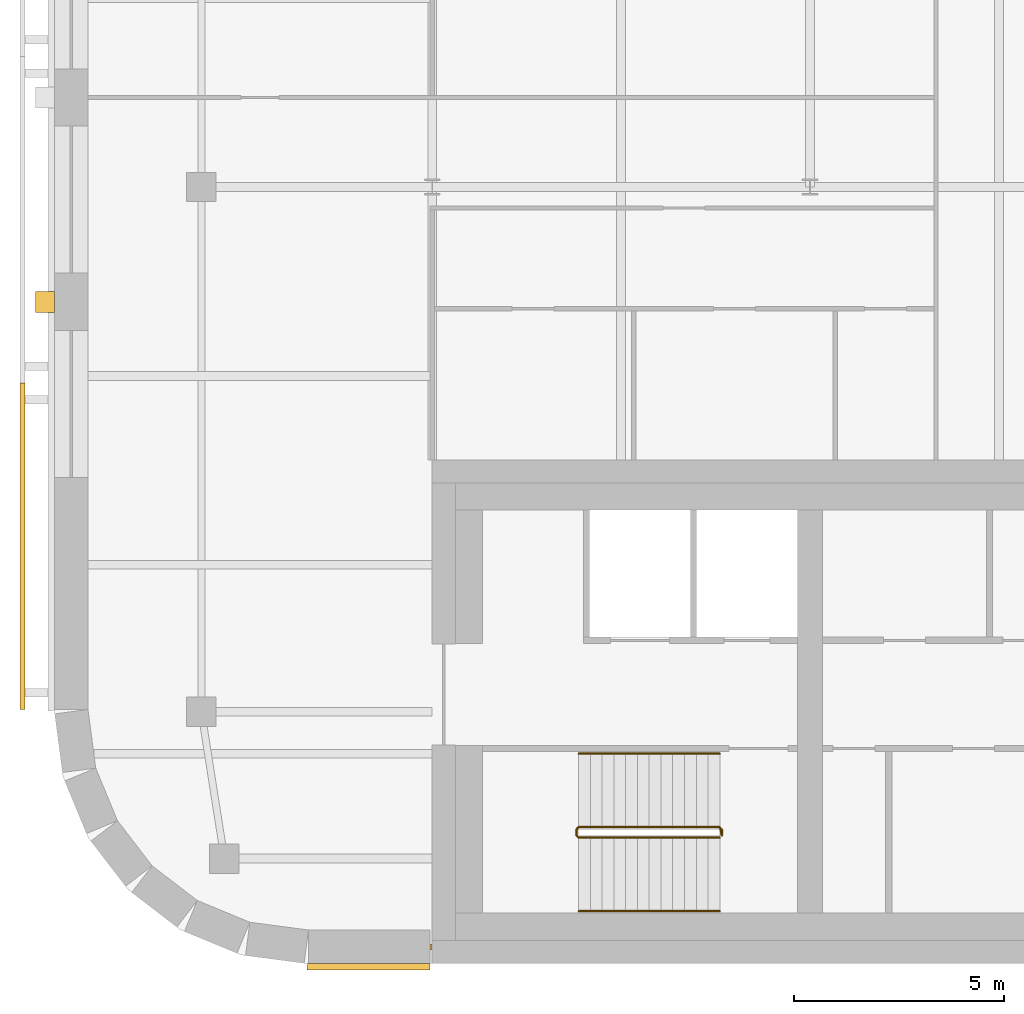
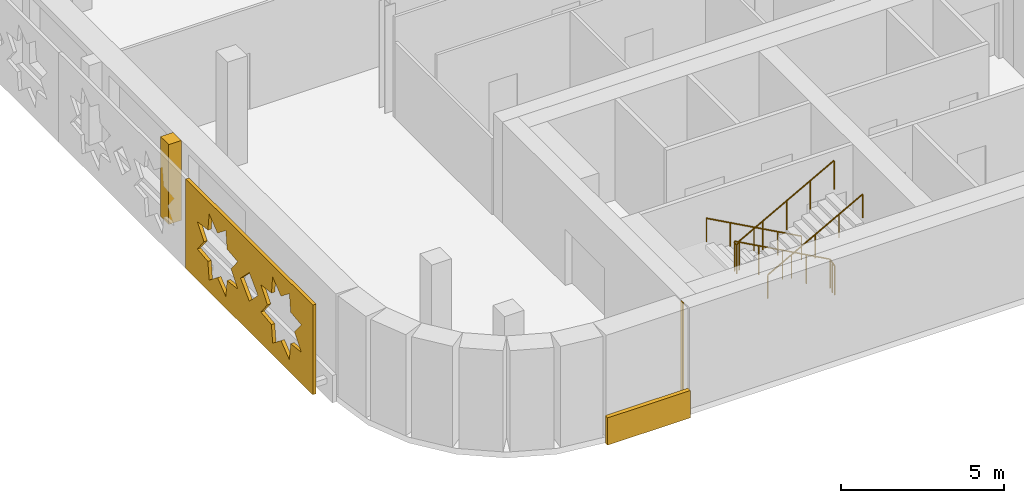
# One storey, part 13 of 16: 4 coverings, 3 railings.
"""IFC4 building model written with IfcOpenShell, lengths in metres."""

from ifc_helpers import new_model, si_unit, direction, frame, origin, origin_2d, place, context, subcontext, project, spatial, polyline, rectangle, circle, outline, extrude, material, layer, layer_set, type_object, element, save


model = new_model("IFC4")

# Units and contexts
model_context = context("Model", 3, precision=1e-05, world=origin(), true_north=direction((0.0, 1.0)))
body_context = subcontext(model_context, "Body", "Model", "MODEL_VIEW")
ifc_project = project(units=[si_unit("LENGTHUNIT", "METRE"), si_unit("AREAUNIT", "SQUARE_METRE"), si_unit("VOLUMEUNIT", "CUBIC_METRE"), si_unit("PLANEANGLEUNIT", "RADIAN"), si_unit("MASSUNIT", "GRAM", prefix="KILO")], contexts=[model_context])

# Site, building, storey
site_placement = place(None, origin())
site = spatial("IfcSite", under=ifc_project, at=site_placement, CompositionType="ELEMENT")
building_placement = place(site_placement, origin())
building = spatial("IfcBuilding", under=site, at=building_placement, Name="Zellij Exchange Tower", CompositionType="ELEMENT")
storey_placement = place(building_placement, frame((0.0, 0.0, 280.5)))
storey = spatial("IfcBuildingStorey", under=building, at=storey_placement, Name="L66", CompositionType="ELEMENT", Elevation=280.5)

# Railings
ifc_material_1 = material(Name="Stainless steel", Category="steel")
railing_type_1 = type_object("IfcRailingType", Name="CORE-RG stair guard", PredefinedType="GUARDRAIL", material=ifc_material_1)
railing_1_placement = place(storey_placement, frame((-20.10009765625, -10.800048828125, 0.0)))
element("IfcRailing", 1, at=railing_1_placement, inside=storey, type_object=railing_type_1, Name="ST1 stair guard L66", PredefinedType="GUARDRAIL", context=body_context, shape_type="SweptSolid", body=[
    extrude(circle(Radius=0.02392578125, at=origin_2d()), frame((0.0, 0.0, 1.076171875), z_axis=(0.0, -1.0, 0.0), x_axis=(1.0, 0.0, 0.0)), (0.0, 0.0, 1.0), 0.14990234375),
    extrude(circle(Radius=0.02392578125, at=origin_2d()), frame((0.0, -0.14990234375, 1.076171875), z_axis=(-0.193691321961, 0.777613689637, 0.598164376644), x_axis=(-0.970351222016, -0.241699205484, 0.0)), (0.0, 0.0, 1.0), 0.257080078125),
    extrude(circle(Radius=0.02392578125, at=origin_2d()), frame((-0.0498046875, 0.050048828125, 1.22998046875), z_axis=(-0.876421534553, 0.0, 0.481544695509), x_axis=(0.0, -1.0, 0.0)), (0.0, 0.0, 1.0), 3.833984375),
    extrude(circle(Radius=0.02392578125, at=origin_2d()), frame((-3.409912109375, 0.050048828125, 3.076171875), z_axis=(-0.707106781187, -0.707106781187, 0.0), x_axis=(0.707106781187, -0.707106781187, 0.0)), (0.0, 0.0, 1.0), 0.07080078125),
    extrude(circle(Radius=0.02392578125, at=origin_2d()), frame((-3.4599609375, 0.0, 3.076171875), z_axis=(0.0, -1.0, 0.0), x_axis=(1.0, 0.0, 0.0)), (0.0, 0.0, 1.0), 0.14990234375),
    extrude(circle(Radius=0.02392578125, at=origin_2d()), frame((-3.4599609375, -0.14990234375, 3.076171875), z_axis=(0.295599637079, -0.295599637079, 0.908428152975), x_axis=(0.707106781187, 0.707106781187, 0.0)), (0.0, 0.0, 1.0), 0.16943359375),
    extrude(circle(Radius=0.02392578125, at=origin_2d()), frame((-3.409912109375, -0.199951171875, 3.22998046875), z_axis=(0.876421534553, 0.0, 0.481544695509), x_axis=(0.0, 1.0, 0.0)), (0.0, 0.0, 1.0), 3.833984375),
    extrude(circle(Radius=0.02099609375, at=origin_2d()), origin(), (0.0, 0.0, 1.0), 1.052001953125),
    extrude(circle(Radius=0.02099609375, at=origin_2d()), frame((0.0, -0.14990234375, 0.0)), (0.0, 0.0, 1.0), 1.052001953125),
    extrude(circle(Radius=0.02099609375, at=origin_2d()), frame((-0.0498046875, 0.050048828125, 0.15380859375)), (0.0, 0.0, 1.0), 1.052001953125),
    extrude(circle(Radius=0.02099609375, at=origin_2d()), frame((-0.889892578125, 0.050048828125, 0.615234375)), (0.0, 0.0, 1.0), 1.052001953125),
    extrude(circle(Radius=0.02099609375, at=origin_2d()), frame((-1.72998046875, 0.050048828125, 1.076904296875)), (0.0, 0.0, 1.0), 1.052001953125),
    extrude(circle(Radius=0.02099609375, at=origin_2d()), frame((-2.56982421875, 0.050048828125, 1.53857421875)), (0.0, 0.0, 1.0), 1.052001953125),
    extrude(circle(Radius=0.02099609375, at=origin_2d()), frame((-3.409912109375, 0.050048828125, 2.0)), (0.0, 0.0, 1.0), 1.052001953125),
    extrude(circle(Radius=0.02099609375, at=origin_2d()), frame((-3.4599609375, 0.0, 2.0)), (0.0, 0.0, 1.0), 1.052001953125),
    extrude(circle(Radius=0.02099609375, at=origin_2d()), frame((-3.4599609375, -0.14990234375, 2.0)), (0.0, 0.0, 1.0), 1.052001953125),
    extrude(circle(Radius=0.02099609375, at=origin_2d()), frame((-3.409912109375, -0.199951171875, 2.15380859375)), (0.0, 0.0, 1.0), 1.052001953125),
    extrude(circle(Radius=0.02099609375, at=origin_2d()), frame((-2.56982421875, -0.199951171875, 2.615234375)), (0.0, 0.0, 1.0), 1.052001953125),
    extrude(circle(Radius=0.02099609375, at=origin_2d()), frame((-1.72998046875, -0.199951171875, 3.076904296875)), (0.0, 0.0, 1.0), 1.052001953125),
    extrude(circle(Radius=0.02099609375, at=origin_2d()), frame((-0.889892578125, -0.199951171875, 3.53857421875)), (0.0, 0.0, 1.0), 1.052001953125),
    extrude(circle(Radius=0.02099609375, at=origin_2d()), frame((-0.0498046875, -0.199951171875, 4.0)), (0.0, 0.0, 1.0), 1.052001953125),
])
railing_type_2 = type_object("IfcRailingType", Name="CORE-RH stair handrail", PredefinedType="HANDRAIL", material=ifc_material_1)
railing_2_placement = place(storey_placement, frame((-20.14990234375, -9.0, 0.15380859375)))
element("IfcRailing", 2, at=railing_2_placement, inside=storey, type_object=railing_type_2, Name="ST1 stair handrail L66", PredefinedType="HANDRAIL", context=body_context, shape_type="SweptSolid", body=[
    extrude(circle(Radius=0.02392578125, at=origin_2d()), frame((0.0, 0.0, 0.8759765625), z_axis=(-0.876421534553, 0.0, 0.481544695509), x_axis=(0.0, -1.0, 0.0)), (0.0, 0.0, 1.0), 3.833984375),
    extrude(circle(Radius=0.02099609375, at=origin_2d()), origin(), (0.0, 0.0, 1.0), 0.851806640625),
    extrude(circle(Radius=0.02099609375, at=origin_2d()), frame((-0.840087890625, 0.0, 0.46142578125)), (0.0, 0.0, 1.0), 0.851806640625),
    extrude(circle(Radius=0.02099609375, at=origin_2d()), frame((-1.68017578125, 0.0, 0.923095703125)), (0.0, 0.0, 1.0), 0.851806640625),
    extrude(circle(Radius=0.02099609375, at=origin_2d()), frame((-2.52001953125, 0.0, 1.384765625)), (0.0, 0.0, 1.0), 0.851806640625),
    extrude(circle(Radius=0.02099609375, at=origin_2d()), frame((-3.360107421875, 0.0, 1.84619140625)), (0.0, 0.0, 1.0), 0.851806640625),
])
railing_3_placement = place(storey_placement, frame((-23.510009765625, -12.75, 2.15380859375)))
element("IfcRailing", 3, at=railing_3_placement, inside=storey, type_object=railing_type_2, Name="ST1 stair handrail L66", PredefinedType="HANDRAIL", context=body_context, shape_type="SweptSolid", body=[
    extrude(circle(Radius=0.02392578125, at=origin_2d()), frame((0.0, 0.0, 0.8759765625), z_axis=(0.876421534553, 0.0, 0.481544695509), x_axis=(0.0, 1.0, 0.0)), (0.0, 0.0, 1.0), 3.833984375),
    extrude(circle(Radius=0.02099609375, at=origin_2d()), origin(), (0.0, 0.0, 1.0), 0.851806640625),
    extrude(circle(Radius=0.02099609375, at=origin_2d()), frame((0.840087890625, 0.0, 0.46142578125)), (0.0, 0.0, 1.0), 0.851806640625),
    extrude(circle(Radius=0.02099609375, at=origin_2d()), frame((1.68017578125, 0.0, 0.923095703125)), (0.0, 0.0, 1.0), 0.851806640625),
    extrude(circle(Radius=0.02099609375, at=origin_2d()), frame((2.52001953125, 0.0, 1.384765625)), (0.0, 0.0, 1.0), 0.851806640625),
    extrude(circle(Radius=0.02099609375, at=origin_2d()), frame((3.360107421875, 0.0, 1.84619140625)), (0.0, 0.0, 1.0), 0.851806640625),
])

# Coverings
ifc_material_2 = material(Name="Limestone cladding", Category="masonry")
ifc_layer_1 = layer(ifc_material_2, 0.14990234375)
ifc_layer_set_1 = layer_set([ifc_layer_1], Name="Limestone cladding")
covering_type_1 = type_object("IfcCoveringType", Name="ENV-CV1 Stone spandrel band 150", PredefinedType="CLADDING", material=ifc_layer_set_1)
covering_1_placement = place(storey_placement, frame((0.0, 0.0, -0.219970703125)))
element("IfcCovering", 4, at=covering_1_placement, inside=storey, type_object=covering_type_1, Name="Stone spandrel band", PredefinedType="CLADDING", context=body_context, shape_type="SweptSolid", body=[
    extrude(outline(polyline([(-29.973876953125, -14.0), (-27.050048828125, -14.0), (-27.050048828125, -14.14990234375), (-29.983642578125, -14.14990234375), (-29.973876953125, -14.0)])), origin(), (0.0, 0.0, 1.0), 1.02001953125),
])
ifc_layer_2 = layer(ifc_material_2, 0.1201171875)
ifc_layer_set_2 = layer_set([ifc_layer_2], Name="Limestone cladding")
covering_type_2 = type_object("IfcCoveringType", Name="ENV-CV18 Glazing closer 120", PredefinedType="CLADDING", material=ifc_layer_set_2)
covering_2_placement = place(storey_placement, frame((-27.02490234375, -13.60009765625, 0.0), z_axis=(0.0, 0.0, 1.0), x_axis=(1.0, 0.0, 0.0)))
element("IfcCovering", 5, at=covering_2_placement, inside=storey, type_object=covering_type_2, Name="Glazing closer", PredefinedType="CLADDING", context=body_context, shape_type="SweptSolid", body=[
    extrude(rectangle(XDim=0.050048828125, YDim=0.1201171875, at=origin_2d()), origin(), (0.0, 0.0, 1.0), 3.780029296875),
])
covering_type_3 = type_object("IfcCoveringType", Name="ENV-CV4 Stone pier 500x450", PredefinedType="CLADDING", material=ifc_material_2)
covering_3_placement = place(storey_placement, frame((0.0, 0.0, 0.800048828125)))
element("IfcCovering", 6, at=covering_3_placement, inside=storey, type_object=covering_type_3, Name="Stone pier", PredefinedType="CLADDING", context=body_context, shape_type="SweptSolid", body=[
    extrude(outline(polyline([(-36.0, 2.01318359375), (-36.0, 1.51318359375), (-36.449951171875, 1.51318359375), (-36.449951171875, 2.01318359375), (-36.0, 2.01318359375)])), origin(), (0.0, 0.0, 1.0), 2.97998046875),
])
ifc_material_3 = material(Name="Limestone screen", Category="masonry")
ifc_layer_3 = layer(ifc_material_3, 0.1201171875)
ifc_layer_set_3 = layer_set([ifc_layer_3], Name="Limestone screen")
covering_type_4 = type_object("IfcCoveringType", Name="ENV-SC1 Pierced stone screen 120", PredefinedType="USERDEFINED", material=ifc_layer_set_3)
covering_4_placement = place(storey_placement, frame((-36.760009765625, -0.168701171875, 0.300048828125), z_axis=(0.0, 0.0, 1.0), x_axis=(0.0, -1.0, 0.0)))
element("IfcCovering", 7, at=covering_4_placement, inside=storey, type_object=covering_type_4, Name="Pierced stone screen", ObjectType="SCREEN", PredefinedType="USERDEFINED", context=body_context, shape_type="SweptSolid", body=[
    extrude(outline(polyline([(0.0, 0.0), (7.779052734375, 0.0), (7.779052734375, 3.35009765625), (0.0, 3.35009765625), (0.0, 0.0)]), holes=[polyline([(3.182861328125, 2.187744140625), (2.5322265625, 2.262451171875), (2.45751953125, 2.9130859375), (1.94482421875, 2.505859375), (1.431884765625, 2.9130859375), (1.357421875, 2.262451171875), (0.706787109375, 2.187744140625), (1.114013671875, 1.675048828125), (0.706787109375, 1.162109375), (1.357421875, 1.08740234375), (1.431884765625, 0.43701171875), (1.94482421875, 0.84423828125), (2.45751953125, 0.43701171875), (2.5322265625, 1.08740234375), (3.182861328125, 1.162109375), (2.775634765625, 1.675048828125), (3.182861328125, 2.187744140625)]), polyline([(7.072265625, 2.187744140625), (6.421630859375, 2.262451171875), (6.34716796875, 2.9130859375), (5.834228515625, 2.505859375), (5.321533203125, 2.9130859375), (5.246826171875, 2.262451171875), (4.59619140625, 2.187744140625), (5.00341796875, 1.675048828125), (4.59619140625, 1.162109375), (5.246826171875, 1.08740234375), (5.321533203125, 0.43701171875), (5.834228515625, 0.84423828125), (6.34716796875, 0.43701171875), (6.421630859375, 1.08740234375), (7.072265625, 1.162109375), (6.6650390625, 1.675048828125), (7.072265625, 2.187744140625)]), polyline([(4.425537109375, 1.675048828125), (3.889404296875, 2.2109375), (3.353515625, 1.675048828125), (3.889404296875, 1.138916015625), (4.425537109375, 1.675048828125)])]), frame((0.0, 0.06005859375, 0.0), z_axis=(0.0, -1.0, 0.0), x_axis=(1.0, 0.0, 0.0)), (0.0, 0.0, 1.0), 0.1201171875),
])

save(model, "model.ifc")
